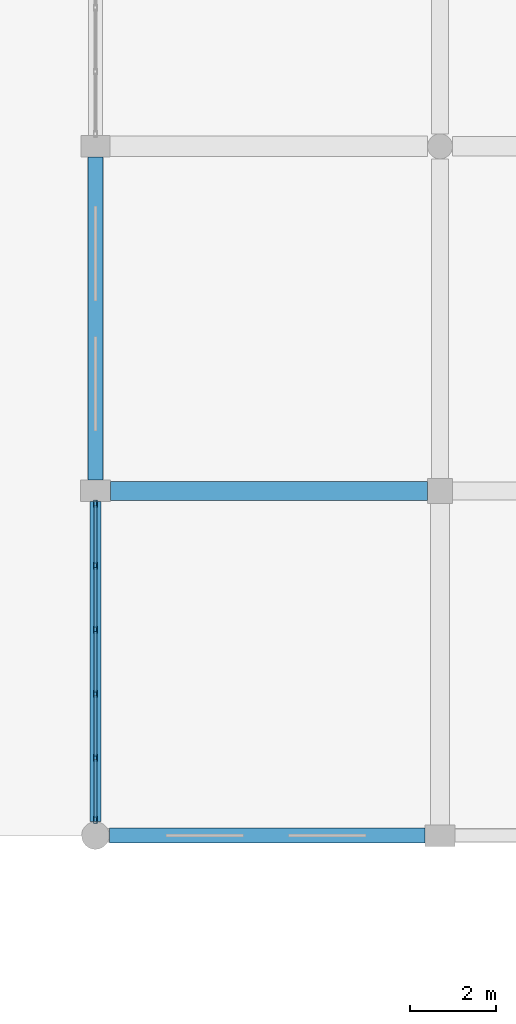
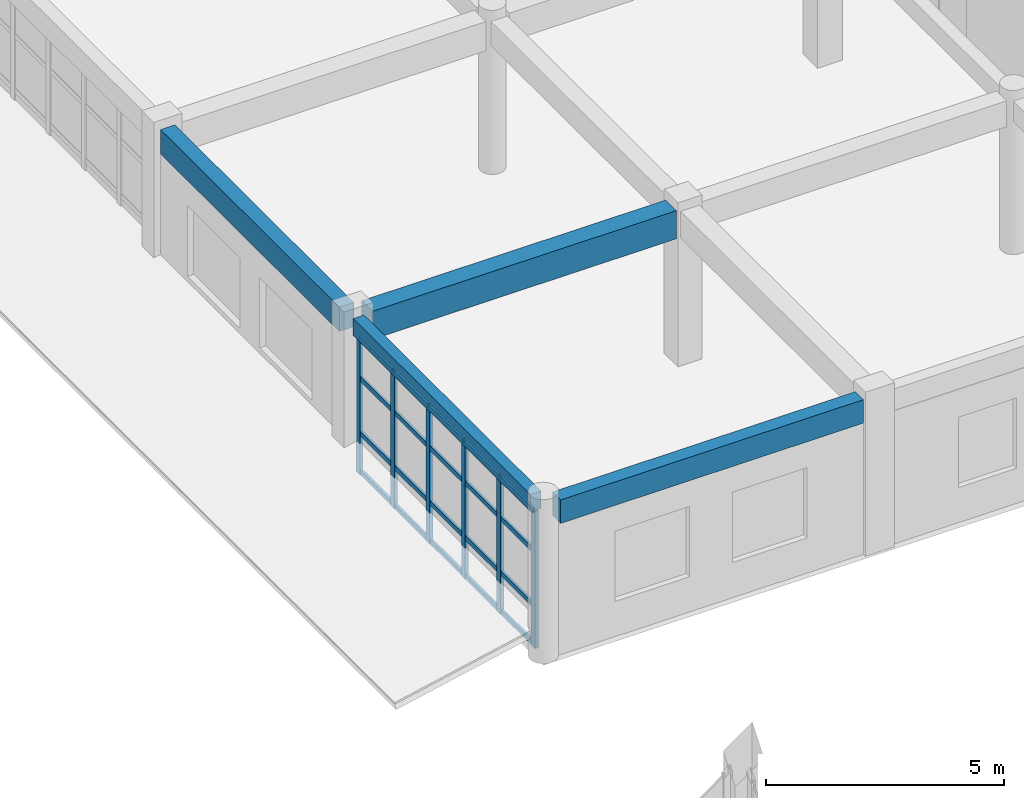
# One storey, part 69 of 121: 26 members, 4 beams, 1 element without a shape of its own.
"""IFC4 building model written with IfcOpenShell, lengths in metres."""

from ifc_helpers import new_model, si_unit, direction, frame, origin, origin_2d, place, context, subcontext, project, spatial, rectangle, hollow_rectangle, extrude, material, material_profile, profile_set, type_object, element, aggregate, save


model = new_model("IFC4")

# Units and contexts
model_context = context("Model", 3, precision=1e-05, world=origin(), true_north=direction((0.0, 1.0)))
body_context = subcontext(model_context, "Body", "Model", "MODEL_VIEW")
ifc_project = project(units=[si_unit("LENGTHUNIT", "METRE"), si_unit("AREAUNIT", "SQUARE_METRE"), si_unit("VOLUMEUNIT", "CUBIC_METRE"), si_unit("PLANEANGLEUNIT", "RADIAN"), si_unit("MASSUNIT", "GRAM", prefix="KILO")], contexts=[model_context])

# Site, building, storey
site_placement = place(None, origin())
site = spatial("IfcSite", under=ifc_project, at=site_placement, CompositionType="ELEMENT")
building_placement = place(site_placement, origin())
building = spatial("IfcBuilding", under=site, at=building_placement, Name="Kharva Crest Polytechnic", CompositionType="ELEMENT")
storey_placement = place(building_placement, frame((0.0, 0.0, 13.199951171875)))
storey = spatial("IfcBuildingStorey", under=building, at=storey_placement, Name="L03", CompositionType="ELEMENT", Elevation=13.199951171875)

# Beam
ifc_material_1 = material(Name="Concrete C35/45", Category="concrete")
ifc_material_profile_1 = material_profile(ifc_material_1, rectangle(XDim=0.449951171875, YDim=0.719970703125, at=origin_2d()), Name="RECT 450 X 720")
ifc_profile_set_1 = profile_set([ifc_material_profile_1], Name="Concrete C35/45")
beam_type_1 = type_object("IfcBeamType", Name="BM-RC-450X720", PredefinedType="BEAM", material=ifc_profile_set_1)
beam_1_placement = place(storey_placement, frame((153.14990234375, 46.800048828125, 3.60009765625), z_axis=(1.0, 0.0, 0.0), x_axis=(0.0, 1.0, 0.0)))
element("IfcBeam", 1, at=beam_1_placement, inside=storey, type_object=beam_type_1, Name="L03 Beam G/20-21", PredefinedType="BEAM", context=body_context, shape_type="SweptSolid", body=[
    extrude(rectangle(XDim=0.449951171875, YDim=0.719970703125, at=origin_2d()), origin(), (0.0, 0.0, 1.0), 7.360107421875),
])

# Curtain wall, members
ifc_material_2 = material(Name="Tempered insulated glass", Category="glass")
curtain_wall_type = type_object("IfcCurtainWallType", Name="CW-SYS-COURT", PredefinedType="USERDEFINED", material=ifc_material_2)
curtain_wall_placement = place(storey_placement, origin())
curtain_wall = element("IfcCurtainWall", 2, at=curtain_wall_placement, inside=storey, type_object=curtain_wall_type, Name="L03 Glazed Curtain Wall CW-148", ObjectType="CURTAIN WALL", PredefinedType="USERDEFINED")
ifc_material_3 = material(Name="Steel S355", Category="steel")
ifc_material_profile_2 = material_profile(ifc_material_3, hollow_rectangle(XDim=0.080078125, YDim=0.159912109375, WallThickness=0.0048828125, at=origin_2d()), Name="RHS 160X80X5.0")
ifc_profile_set_2 = profile_set([ifc_material_profile_2], Name="Steel S355")
member_type_1 = type_object("IfcMemberType", Name="CWM-RHS160X80", PredefinedType="MULLION", material=ifc_profile_set_2)
member_1_placement = place(storey_placement, frame((152.800048828125, 46.5048828125, 0.0), z_axis=(0.0, 0.0, 1.0), x_axis=(1.0, 0.0, 0.0)))
member_1 = element("IfcMember", 3, at=member_1_placement, type_object=member_type_1, Name="CW-148 mullion 1", PredefinedType="MULLION", context=body_context, shape_type="SweptSolid", body=[
    extrude(hollow_rectangle(XDim=0.080078125, YDim=0.159912109375, WallThickness=0.0048828125, at=origin_2d()), origin(), (0.0, 0.0, 1.0), 3.52001953125),
])
member_2_placement = place(storey_placement, frame((152.800048828125, 45.06103515625, 0.0), z_axis=(0.0, 0.0, 1.0), x_axis=(1.0, 0.0, 0.0)))
member_2 = element("IfcMember", 4, at=member_2_placement, type_object=member_type_1, Name="CW-148 mullion 2", PredefinedType="MULLION", context=body_context, shape_type="SweptSolid", body=[
    extrude(hollow_rectangle(XDim=0.080078125, YDim=0.159912109375, WallThickness=0.0048828125, at=origin_2d()), origin(), (0.0, 0.0, 1.0), 3.52001953125),
])
member_3_placement = place(storey_placement, frame((152.800048828125, 43.576904296875, 0.0), z_axis=(0.0, 0.0, 1.0), x_axis=(1.0, 0.0, 0.0)))
member_3 = element("IfcMember", 5, at=member_3_placement, type_object=member_type_1, Name="CW-148 mullion 3", PredefinedType="MULLION", context=body_context, shape_type="SweptSolid", body=[
    extrude(hollow_rectangle(XDim=0.080078125, YDim=0.159912109375, WallThickness=0.0048828125, at=origin_2d()), origin(), (0.0, 0.0, 1.0), 3.52001953125),
])
member_4_placement = place(storey_placement, frame((152.800048828125, 42.093017578125, 0.0), z_axis=(0.0, 0.0, 1.0), x_axis=(1.0, 0.0, 0.0)))
member_4 = element("IfcMember", 6, at=member_4_placement, type_object=member_type_1, Name="CW-148 mullion 4", PredefinedType="MULLION", context=body_context, shape_type="SweptSolid", body=[
    extrude(hollow_rectangle(XDim=0.080078125, YDim=0.159912109375, WallThickness=0.0048828125, at=origin_2d()), origin(), (0.0, 0.0, 1.0), 3.52001953125),
])
member_5_placement = place(storey_placement, frame((152.800048828125, 40.60888671875, 0.0), z_axis=(0.0, 0.0, 1.0), x_axis=(1.0, 0.0, 0.0)))
member_5 = element("IfcMember", 7, at=member_5_placement, type_object=member_type_1, Name="CW-148 mullion 5", PredefinedType="MULLION", context=body_context, shape_type="SweptSolid", body=[
    extrude(hollow_rectangle(XDim=0.080078125, YDim=0.159912109375, WallThickness=0.0048828125, at=origin_2d()), origin(), (0.0, 0.0, 1.0), 3.52001953125),
])
member_6_placement = place(storey_placement, frame((152.800048828125, 39.1650390625, 0.0), z_axis=(0.0, 0.0, 1.0), x_axis=(1.0, 0.0, 0.0)))
member_6 = element("IfcMember", 8, at=member_6_placement, type_object=member_type_1, Name="CW-148 mullion 6", PredefinedType="MULLION", context=body_context, shape_type="SweptSolid", body=[
    extrude(hollow_rectangle(XDim=0.080078125, YDim=0.159912109375, WallThickness=0.0048828125, at=origin_2d()), origin(), (0.0, 0.0, 1.0), 3.52001953125),
])
ifc_material_profile_3 = material_profile(ifc_material_3, hollow_rectangle(XDim=0.06005859375, YDim=0.1201171875, WallThickness=0.00390625, at=origin_2d()), Name="RHS 120X60X4.0")
ifc_profile_set_3 = profile_set([ifc_material_profile_3], Name="Steel S355")
member_type_2 = type_object("IfcMemberType", Name="CWT-RHS120X60", PredefinedType="USERDEFINED", material=ifc_profile_set_3)
member_7_placement = place(storey_placement, frame((152.800048828125, 46.465087890625, 0.06005859375), z_axis=(0.0, -1.0, 0.0), x_axis=(1.0, 0.0, 0.0)))
member_7 = element("IfcMember", 9, at=member_7_placement, type_object=member_type_2, Name="CW-148 transom 1.1", ObjectType="TRANSOM", PredefinedType="USERDEFINED", context=body_context, shape_type="SweptSolid", body=[
    extrude(hollow_rectangle(XDim=0.06005859375, YDim=0.1201171875, WallThickness=0.00390625, at=origin_2d()), origin(), (0.0, 0.0, 1.0), 1.364013671875),
])
member_8_placement = place(storey_placement, frame((152.800048828125, 46.465087890625, 1.050048828125), z_axis=(0.0, -1.0, 0.0), x_axis=(1.0, 0.0, 0.0)))
member_8 = element("IfcMember", 10, at=member_8_placement, type_object=member_type_2, Name="CW-148 transom 1.2", ObjectType="TRANSOM", PredefinedType="USERDEFINED", context=body_context, shape_type="SweptSolid", body=[
    extrude(hollow_rectangle(XDim=0.06005859375, YDim=0.1201171875, WallThickness=0.00390625, at=origin_2d()), origin(), (0.0, 0.0, 1.0), 1.364013671875),
])
member_9_placement = place(storey_placement, frame((152.800048828125, 46.465087890625, 2.449951171875), z_axis=(0.0, -1.0, 0.0), x_axis=(1.0, 0.0, 0.0)))
member_9 = element("IfcMember", 11, at=member_9_placement, type_object=member_type_2, Name="CW-148 transom 1.3", ObjectType="TRANSOM", PredefinedType="USERDEFINED", context=body_context, shape_type="SweptSolid", body=[
    extrude(hollow_rectangle(XDim=0.06005859375, YDim=0.1201171875, WallThickness=0.00390625, at=origin_2d()), origin(), (0.0, 0.0, 1.0), 1.364013671875),
])
member_10_placement = place(storey_placement, frame((152.800048828125, 46.465087890625, 3.4599609375), z_axis=(0.0, -1.0, 0.0), x_axis=(1.0, 0.0, 0.0)))
member_10 = element("IfcMember", 12, at=member_10_placement, type_object=member_type_2, Name="CW-148 transom 1.4", ObjectType="TRANSOM", PredefinedType="USERDEFINED", context=body_context, shape_type="SweptSolid", body=[
    extrude(hollow_rectangle(XDim=0.06005859375, YDim=0.1201171875, WallThickness=0.00390625, at=origin_2d()), origin(), (0.0, 0.0, 1.0), 1.364013671875),
])
member_11_placement = place(storey_placement, frame((152.800048828125, 45.02099609375, 0.06005859375), z_axis=(0.0, -1.0, 0.0), x_axis=(1.0, 0.0, 0.0)))
member_11 = element("IfcMember", 13, at=member_11_placement, type_object=member_type_2, Name="CW-148 transom 2.1", ObjectType="TRANSOM", PredefinedType="USERDEFINED", context=body_context, shape_type="SweptSolid", body=[
    extrude(hollow_rectangle(XDim=0.06005859375, YDim=0.1201171875, WallThickness=0.00390625, at=origin_2d()), origin(), (0.0, 0.0, 1.0), 1.404052734375),
])
member_12_placement = place(storey_placement, frame((152.800048828125, 45.02099609375, 1.050048828125), z_axis=(0.0, -1.0, 0.0), x_axis=(1.0, 0.0, 0.0)))
member_12 = element("IfcMember", 14, at=member_12_placement, type_object=member_type_2, Name="CW-148 transom 2.2", ObjectType="TRANSOM", PredefinedType="USERDEFINED", context=body_context, shape_type="SweptSolid", body=[
    extrude(hollow_rectangle(XDim=0.06005859375, YDim=0.1201171875, WallThickness=0.00390625, at=origin_2d()), origin(), (0.0, 0.0, 1.0), 1.404052734375),
])
member_13_placement = place(storey_placement, frame((152.800048828125, 45.02099609375, 2.449951171875), z_axis=(0.0, -1.0, 0.0), x_axis=(1.0, 0.0, 0.0)))
member_13 = element("IfcMember", 15, at=member_13_placement, type_object=member_type_2, Name="CW-148 transom 2.3", ObjectType="TRANSOM", PredefinedType="USERDEFINED", context=body_context, shape_type="SweptSolid", body=[
    extrude(hollow_rectangle(XDim=0.06005859375, YDim=0.1201171875, WallThickness=0.00390625, at=origin_2d()), origin(), (0.0, 0.0, 1.0), 1.404052734375),
])
member_14_placement = place(storey_placement, frame((152.800048828125, 45.02099609375, 3.4599609375), z_axis=(0.0, -1.0, 0.0), x_axis=(1.0, 0.0, 0.0)))
member_14 = element("IfcMember", 16, at=member_14_placement, type_object=member_type_2, Name="CW-148 transom 2.4", ObjectType="TRANSOM", PredefinedType="USERDEFINED", context=body_context, shape_type="SweptSolid", body=[
    extrude(hollow_rectangle(XDim=0.06005859375, YDim=0.1201171875, WallThickness=0.00390625, at=origin_2d()), origin(), (0.0, 0.0, 1.0), 1.404052734375),
])
member_15_placement = place(storey_placement, frame((152.800048828125, 43.537109375, 0.06005859375), z_axis=(0.0, -1.0, 0.0), x_axis=(1.0, 0.0, 0.0)))
member_15 = element("IfcMember", 17, at=member_15_placement, type_object=member_type_2, Name="CW-148 transom 3.1", ObjectType="TRANSOM", PredefinedType="USERDEFINED", context=body_context, shape_type="SweptSolid", body=[
    extrude(hollow_rectangle(XDim=0.06005859375, YDim=0.1201171875, WallThickness=0.00390625, at=origin_2d()), origin(), (0.0, 0.0, 1.0), 1.404052734375),
])
member_16_placement = place(storey_placement, frame((152.800048828125, 43.537109375, 1.050048828125), z_axis=(0.0, -1.0, 0.0), x_axis=(1.0, 0.0, 0.0)))
member_16 = element("IfcMember", 18, at=member_16_placement, type_object=member_type_2, Name="CW-148 transom 3.2", ObjectType="TRANSOM", PredefinedType="USERDEFINED", context=body_context, shape_type="SweptSolid", body=[
    extrude(hollow_rectangle(XDim=0.06005859375, YDim=0.1201171875, WallThickness=0.00390625, at=origin_2d()), origin(), (0.0, 0.0, 1.0), 1.404052734375),
])
member_17_placement = place(storey_placement, frame((152.800048828125, 43.537109375, 2.449951171875), z_axis=(0.0, -1.0, 0.0), x_axis=(1.0, 0.0, 0.0)))
member_17 = element("IfcMember", 19, at=member_17_placement, type_object=member_type_2, Name="CW-148 transom 3.3", ObjectType="TRANSOM", PredefinedType="USERDEFINED", context=body_context, shape_type="SweptSolid", body=[
    extrude(hollow_rectangle(XDim=0.06005859375, YDim=0.1201171875, WallThickness=0.00390625, at=origin_2d()), origin(), (0.0, 0.0, 1.0), 1.404052734375),
])
member_18_placement = place(storey_placement, frame((152.800048828125, 43.537109375, 3.4599609375), z_axis=(0.0, -1.0, 0.0), x_axis=(1.0, 0.0, 0.0)))
member_18 = element("IfcMember", 20, at=member_18_placement, type_object=member_type_2, Name="CW-148 transom 3.4", ObjectType="TRANSOM", PredefinedType="USERDEFINED", context=body_context, shape_type="SweptSolid", body=[
    extrude(hollow_rectangle(XDim=0.06005859375, YDim=0.1201171875, WallThickness=0.00390625, at=origin_2d()), origin(), (0.0, 0.0, 1.0), 1.404052734375),
])
member_19_placement = place(storey_placement, frame((152.800048828125, 42.052978515625, 0.06005859375), z_axis=(0.0, -1.0, 0.0), x_axis=(1.0, 0.0, 0.0)))
member_19 = element("IfcMember", 21, at=member_19_placement, type_object=member_type_2, Name="CW-148 transom 4.1", ObjectType="TRANSOM", PredefinedType="USERDEFINED", context=body_context, shape_type="SweptSolid", body=[
    extrude(hollow_rectangle(XDim=0.06005859375, YDim=0.1201171875, WallThickness=0.00390625, at=origin_2d()), origin(), (0.0, 0.0, 1.0), 1.404052734375),
])
member_20_placement = place(storey_placement, frame((152.800048828125, 42.052978515625, 1.050048828125), z_axis=(0.0, -1.0, 0.0), x_axis=(1.0, 0.0, 0.0)))
member_20 = element("IfcMember", 22, at=member_20_placement, type_object=member_type_2, Name="CW-148 transom 4.2", ObjectType="TRANSOM", PredefinedType="USERDEFINED", context=body_context, shape_type="SweptSolid", body=[
    extrude(hollow_rectangle(XDim=0.06005859375, YDim=0.1201171875, WallThickness=0.00390625, at=origin_2d()), origin(), (0.0, 0.0, 1.0), 1.404052734375),
])
member_21_placement = place(storey_placement, frame((152.800048828125, 42.052978515625, 2.449951171875), z_axis=(0.0, -1.0, 0.0), x_axis=(1.0, 0.0, 0.0)))
member_21 = element("IfcMember", 23, at=member_21_placement, type_object=member_type_2, Name="CW-148 transom 4.3", ObjectType="TRANSOM", PredefinedType="USERDEFINED", context=body_context, shape_type="SweptSolid", body=[
    extrude(hollow_rectangle(XDim=0.06005859375, YDim=0.1201171875, WallThickness=0.00390625, at=origin_2d()), origin(), (0.0, 0.0, 1.0), 1.404052734375),
])
member_22_placement = place(storey_placement, frame((152.800048828125, 42.052978515625, 3.4599609375), z_axis=(0.0, -1.0, 0.0), x_axis=(1.0, 0.0, 0.0)))
member_22 = element("IfcMember", 24, at=member_22_placement, type_object=member_type_2, Name="CW-148 transom 4.4", ObjectType="TRANSOM", PredefinedType="USERDEFINED", context=body_context, shape_type="SweptSolid", body=[
    extrude(hollow_rectangle(XDim=0.06005859375, YDim=0.1201171875, WallThickness=0.00390625, at=origin_2d()), origin(), (0.0, 0.0, 1.0), 1.404052734375),
])
member_23_placement = place(storey_placement, frame((152.800048828125, 40.569091796875, 0.06005859375), z_axis=(0.0, -1.0, 0.0), x_axis=(1.0, 0.0, 0.0)))
member_23 = element("IfcMember", 25, at=member_23_placement, type_object=member_type_2, Name="CW-148 transom 5.1", ObjectType="TRANSOM", PredefinedType="USERDEFINED", context=body_context, shape_type="SweptSolid", body=[
    extrude(hollow_rectangle(XDim=0.06005859375, YDim=0.1201171875, WallThickness=0.00390625, at=origin_2d()), origin(), (0.0, 0.0, 1.0), 1.364013671875),
])
member_24_placement = place(storey_placement, frame((152.800048828125, 40.569091796875, 1.050048828125), z_axis=(0.0, -1.0, 0.0), x_axis=(1.0, 0.0, 0.0)))
member_24 = element("IfcMember", 26, at=member_24_placement, type_object=member_type_2, Name="CW-148 transom 5.2", ObjectType="TRANSOM", PredefinedType="USERDEFINED", context=body_context, shape_type="SweptSolid", body=[
    extrude(hollow_rectangle(XDim=0.06005859375, YDim=0.1201171875, WallThickness=0.00390625, at=origin_2d()), origin(), (0.0, 0.0, 1.0), 1.364013671875),
])
member_25_placement = place(storey_placement, frame((152.800048828125, 40.569091796875, 2.449951171875), z_axis=(0.0, -1.0, 0.0), x_axis=(1.0, 0.0, 0.0)))
member_25 = element("IfcMember", 27, at=member_25_placement, type_object=member_type_2, Name="CW-148 transom 5.3", ObjectType="TRANSOM", PredefinedType="USERDEFINED", context=body_context, shape_type="SweptSolid", body=[
    extrude(hollow_rectangle(XDim=0.06005859375, YDim=0.1201171875, WallThickness=0.00390625, at=origin_2d()), origin(), (0.0, 0.0, 1.0), 1.364013671875),
])
member_26_placement = place(storey_placement, frame((152.800048828125, 40.569091796875, 3.4599609375), z_axis=(0.0, -1.0, 0.0), x_axis=(1.0, 0.0, 0.0)))
member_26 = element("IfcMember", 28, at=member_26_placement, type_object=member_type_2, Name="CW-148 transom 5.4", ObjectType="TRANSOM", PredefinedType="USERDEFINED", context=body_context, shape_type="SweptSolid", body=[
    extrude(hollow_rectangle(XDim=0.06005859375, YDim=0.1201171875, WallThickness=0.00390625, at=origin_2d()), origin(), (0.0, 0.0, 1.0), 1.364013671875),
])
aggregate(curtain_wall, [member_1, member_2, member_3, member_4, member_5, member_6, member_7, member_8, member_9, member_10, member_11, member_12, member_13, member_14, member_15, member_16, member_17, member_18, member_19, member_20, member_21, member_22, member_23, member_24, member_25, member_26])

# Beams
ifc_material_profile_4 = material_profile(ifc_material_1, rectangle(XDim=0.260009765625, YDim=0.43994140625, at=origin_2d()), Name="RECT 260 X 440")
ifc_profile_set_4 = profile_set([ifc_material_profile_4], Name="Concrete C35/45")
beam_type_2 = type_object("IfcBeamType", Name="SP-RC-260X440", PredefinedType="SPANDREL", material=ifc_profile_set_4)
beam_2_placement = place(storey_placement, frame((152.800048828125, 39.1201171875, 3.739990234375), z_axis=(0.0, 1.0, 0.0), x_axis=(-1.0, 0.0, 0.0)))
element("IfcBeam", 29, at=beam_2_placement, inside=storey, type_object=beam_type_2, Name="L03 Girder 20/FJ-G", PredefinedType="SPANDREL", context=body_context, shape_type="SweptSolid", body=[
    extrude(rectangle(XDim=0.260009765625, YDim=0.43994140625, at=origin_2d()), origin(), (0.0, 0.0, 1.0), 7.429931640625),
])
ifc_material_profile_5 = material_profile(ifc_material_1, rectangle(XDim=0.340087890625, YDim=0.60009765625, at=origin_2d()), Name="RECT 340 X 600")
ifc_profile_set_5 = profile_set([ifc_material_profile_5], Name="Concrete C35/45")
beam_type_3 = type_object("IfcBeamType", Name="SP-RC-340X600", PredefinedType="SPANDREL", material=ifc_profile_set_5)
beam_3_placement = place(storey_placement, frame((153.1201171875, 38.800048828125, 3.66015625), z_axis=(1.0, 0.0, 0.0), x_axis=(0.0, 1.0, 0.0)))
element("IfcBeam", 30, at=beam_3_placement, inside=storey, type_object=beam_type_3, Name="L03 Beam FJ/20-21", PredefinedType="SPANDREL", context=body_context, shape_type="SweptSolid", body=[
    extrude(rectangle(XDim=0.340087890625, YDim=0.60009765625, at=origin_2d()), origin(), (0.0, 0.0, 1.0), 7.329833984375),
])
ifc_material_profile_6 = material_profile(ifc_material_1, rectangle(XDim=0.35009765625, YDim=0.6201171875, at=origin_2d()), Name="RECT 350 X 620")
ifc_profile_set_6 = profile_set([ifc_material_profile_6], Name="Concrete C35/45")
beam_type_4 = type_object("IfcBeamType", Name="SP-RC-350X620", PredefinedType="SPANDREL", material=ifc_profile_set_6)
beam_4_placement = place(storey_placement, frame((152.800048828125, 47.050048828125, 3.650146484375), z_axis=(0.0, 1.0, 0.0), x_axis=(-1.0, 0.0, 0.0)))
element("IfcBeam", 31, at=beam_4_placement, inside=storey, type_object=beam_type_4, Name="L03 Girder 20/G-H", PredefinedType="SPANDREL", context=body_context, shape_type="SweptSolid", body=[
    extrude(rectangle(XDim=0.35009765625, YDim=0.6201171875, at=origin_2d()), origin(), (0.0, 0.0, 1.0), 7.5),
])

save(model, "model.ifc")
